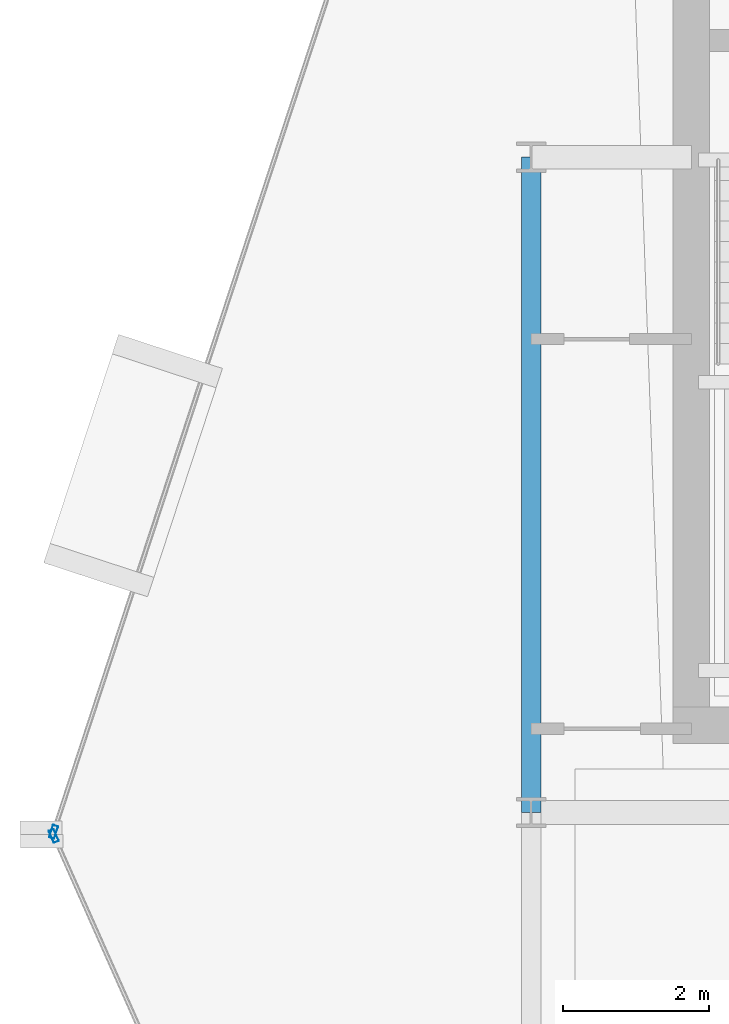
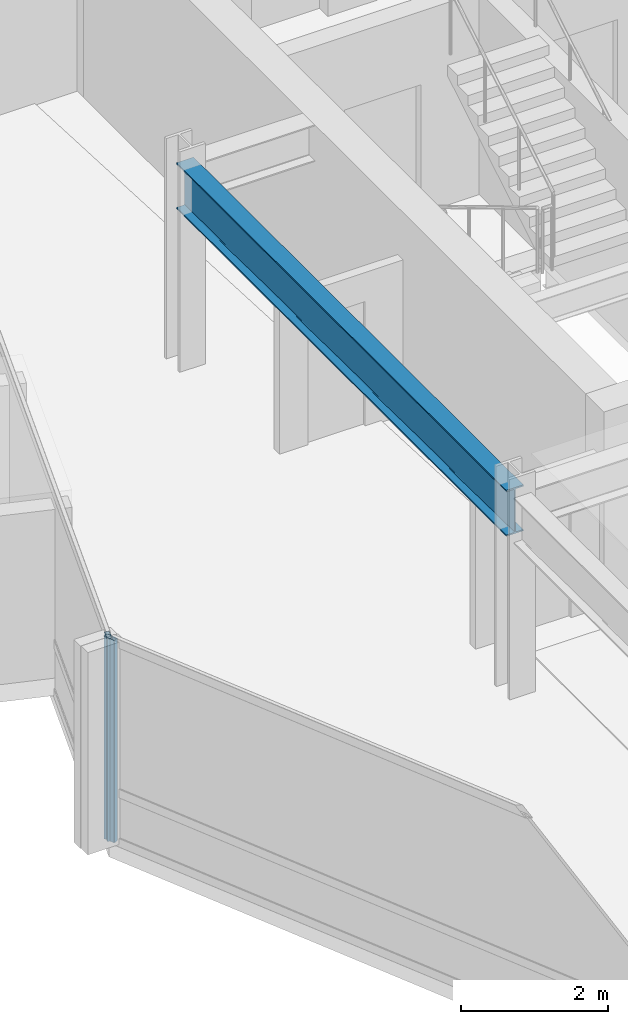
# One storey, part 6 of 27: 2 members, 1 beam, 2 elements without a shape of their own.
"""IFC4 building model written with IfcOpenShell, lengths in metres."""

from ifc_helpers import new_model, si_unit, direction, frame, origin, origin_2d, place, context, subcontext, project, spatial, hollow_rectangle, i_section, extrude, material, layer, layer_set, material_profile, profile_set, type_object, element, aggregate, save


model = new_model("IFC4")

# Units and contexts
model_context = context("Model", 3, precision=1e-05, world=origin(), true_north=direction((0.0, 1.0)))
body_context = subcontext(model_context, "Body", "Model", "MODEL_VIEW")
ifc_project = project(units=[si_unit("LENGTHUNIT", "METRE"), si_unit("AREAUNIT", "SQUARE_METRE"), si_unit("VOLUMEUNIT", "CUBIC_METRE"), si_unit("PLANEANGLEUNIT", "RADIAN"), si_unit("MASSUNIT", "GRAM", prefix="KILO")], contexts=[model_context])

# Site, building, storey
site_placement = place(None, origin())
site = spatial("IfcSite", under=ifc_project, at=site_placement, CompositionType="ELEMENT")
building_placement = place(site_placement, origin())
building = spatial("IfcBuilding", under=site, at=building_placement, Name="Solvaryn Broadcast Tower", CompositionType="ELEMENT")
storey_placement = place(building_placement, frame((0.0, 0.0, 192.699951171875)))
storey = spatial("IfcBuildingStorey", under=building, at=storey_placement, Name="L48", CompositionType="ELEMENT", Elevation=192.699951171875)

# Beam
ifc_material_1 = material(Name="Steel ASTM A992 Grade 50", Category="steel")
ifc_material_profile_1 = material_profile(ifc_material_1, i_section(OverallWidth=0.26708984375, OverallDepth=0.76611328125, WebThickness=0.014892578125, FlangeThickness=0.023681640625, FilletRadius=0.01806640625, at=origin_2d()))
ifc_profile_set_1 = profile_set([ifc_material_profile_1], Name="Steel ASTM A992 Grade 50")
beam_type = type_object("IfcBeamType", Name="BM-SP2-W30X124", PredefinedType="USERDEFINED", material=ifc_profile_set_1)
beam_placement = place(storey_placement, frame((9.0, 27.0, 2.987060546875), z_axis=(0.0, 1.0, 0.0), x_axis=(-1.0, 0.0, 0.0)))
element("IfcBeam", 1, at=beam_placement, inside=storey, type_object=beam_type, Name="L48 Spandrel Beam Y (27-36 @ X=9)", ObjectType="SPANDREL", PredefinedType="USERDEFINED", context=body_context, shape_type="SweptSolid", body=[
    extrude(i_section(OverallWidth=0.26708984375, OverallDepth=0.76611328125, WebThickness=0.014892578125, FlangeThickness=0.023681640625, FilletRadius=0.01806640625, at=origin_2d()), origin(), (0.0, 0.0, 1.0), 9.0),
])

# Curtain wall, member
ifc_material_2 = material(Name="Aluminium and Terracotta Unitised Curtain Wall", Category="masonry")
ifc_layer = layer(ifc_material_2, 0.199951171875)
ifc_layer_set = layer_set([ifc_layer], Name="CW-SYS2-LOWMID")
curtain_wall_type = type_object("IfcCurtainWallType", Name="CW-SYS2-LOWMID", PredefinedType="NOTDEFINED", material=ifc_layer_set)
curtain_wall_1_placement = place(storey_placement, origin())
curtain_wall_1 = element("IfcCurtainWall", 2, at=curtain_wall_1_placement, inside=storey, type_object=curtain_wall_type, Name="L48 Curtain Wall DR1", PredefinedType="NOTDEFINED")
ifc_material_3 = material(Name="Anodised Aluminium 6063-T6", Category="aluminium")
ifc_material_profile_2 = material_profile(ifc_material_3, hollow_rectangle(XDim=0.074951171875, YDim=0.179931640625, WallThickness=0.00390625, InnerFilletRadius=0.00390625, OuterFilletRadius=0.008056640625, at=origin_2d()))
ifc_profile_set_2 = profile_set([ifc_material_profile_2], Name="Anodised Aluminium 6063-T6")
member_type = type_object("IfcMemberType", Name="CW-MUL-180", PredefinedType="MULLION", material=ifc_profile_set_2)
member_1_placement = place(storey_placement, frame((2.4423828125, 26.734619140625, 0.0), z_axis=(0.0, 0.0, 1.0), x_axis=(0.950226902099, -0.311558717623, 0.0)))
member_1 = element("IfcMember", 3, at=member_1_placement, type_object=member_type, Name="CWS2 mullion 2", PredefinedType="MULLION", context=body_context, shape_type="SweptSolid", body=[
    extrude(hollow_rectangle(XDim=0.074951171875, YDim=0.179931640625, WallThickness=0.00390625, InnerFilletRadius=0.00390625, OuterFilletRadius=0.008056640625, at=origin_2d()), origin(), (0.0, 0.0, 1.0), 3.3701171875),
])
aggregate(curtain_wall_1, [member_1])

curtain_wall_2_placement = place(storey_placement, origin())
curtain_wall_2 = element("IfcCurtainWall", 4, at=curtain_wall_2_placement, inside=storey, type_object=curtain_wall_type, Name="L48 Curtain Wall DR2", PredefinedType="NOTDEFINED")
member_2_placement = place(storey_placement, frame((2.445068359375, 26.678466796875, 0.0), z_axis=(0.0, 0.0, 1.0), x_axis=(0.913916902365, 0.405901337237, 0.0)))
member_2 = element("IfcMember", 5, at=member_2_placement, type_object=member_type, Name="CWS2 mullion 1", PredefinedType="MULLION", context=body_context, shape_type="SweptSolid", body=[
    extrude(hollow_rectangle(XDim=0.074951171875, YDim=0.179931640625, WallThickness=0.00390625, InnerFilletRadius=0.00390625, OuterFilletRadius=0.008056640625, at=origin_2d()), origin(), (0.0, 0.0, 1.0), 3.3701171875),
])
aggregate(curtain_wall_2, [member_2])

save(model, "model.ifc")
